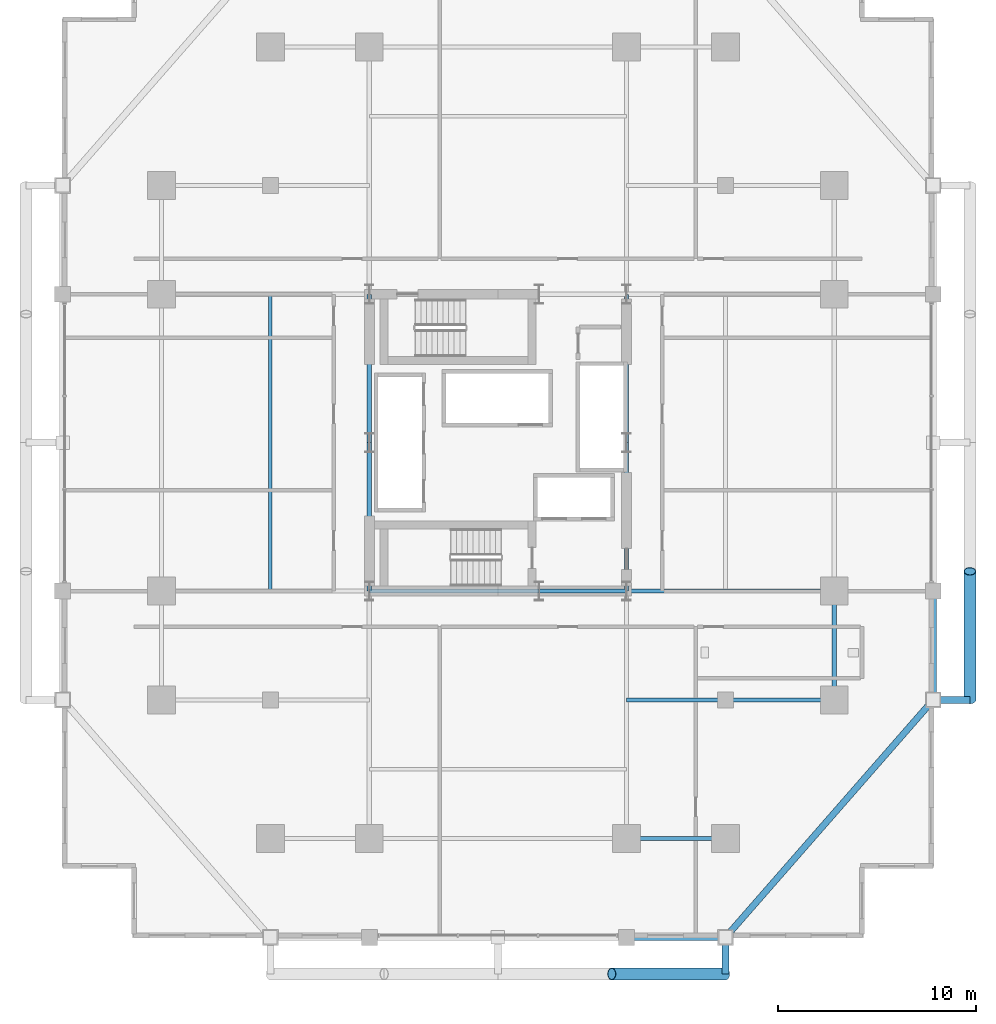
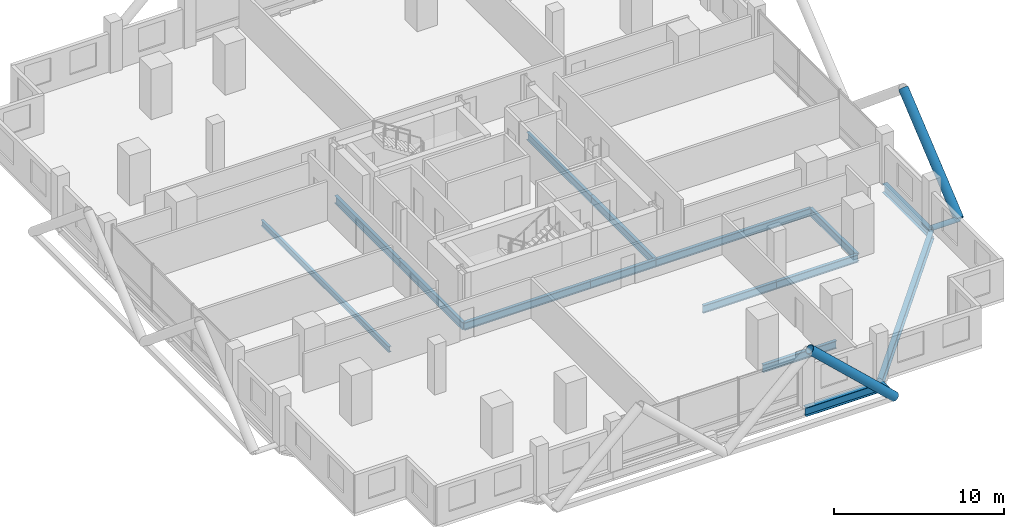
# One storey, part 9 of 26: 15 beams, 4 members.
"""IFC4 building model written with IfcOpenShell, lengths in metres."""

import ifcopenshell
import ifcopenshell.guid

model = None  # the IFC model being written
_history = None  # IfcOwnerHistory: only IFC2X3 demands one
_inside = {}  # id of a spatial element -> (the spatial element, [elements in it])
_under = {}  # id of a project, library or spatial element -> (it, [spatial elements below it])
_declared = {}  # id of a project -> (the project, [libraries it declares])
_typed = {}  # id of a type object -> (the type object, [elements of that type])
_made_of = {}  # id of a material, layer set ... -> (it, [elements and type objects made of it])


def new_model(schema):
    """Start an empty IFC model of exactly this schema.

    Asked for "IFC4X3", IfcOpenShell would pick the latest addendum, in which some entities
    have other attributes; the version numbers below select the first issue.
    IFC2X3 requires an IfcOwnerHistory on every rooted entity: one is made here for all.
    """
    global model, _history
    if schema == "IFC4X3":
        model = ifcopenshell.file(schema_version=(4, 3, 0, 0))
    else:
        model = ifcopenshell.file(schema=schema)
    _inside.clear()
    _under.clear()
    _declared.clear()
    _typed.clear()
    _made_of.clear()
    _history = None
    if model.schema == "IFC2X3":
        org = make("IfcOrganization", Name="unknown")
        user = make(
            "IfcPersonAndOrganization",
            ThePerson=make("IfcPerson", FamilyName="unknown"),
            TheOrganization=org,
        )
        app = make(
            "IfcApplication",
            ApplicationDeveloper=org,
            Version="unknown",
            ApplicationFullName="unknown",
            ApplicationIdentifier="unknown",
        )
        _history = make(
            "IfcOwnerHistory",
            OwningUser=user,
            OwningApplication=app,
            ChangeAction="ADDED",
            CreationDate=0,
        )
    return model


def make(cls, **values):
    """One entity of the class cls with the attributes given. An attribute that is None is left unset."""
    return model.create_entity(
        cls, **{name: value for name, value in values.items() if value is not None}
    )


def rooted(cls, **values):
    """An entity with a GlobalId (a new one), such as an element, a storey or a relation."""
    return make(cls, GlobalId=ifcopenshell.guid.new(), OwnerHistory=_history, **values)


def si_unit(unit_type, name, prefix=None):
    """IfcSIUnit, for example si_unit("LENGTHUNIT", "METRE", prefix="MILLI")."""
    return make("IfcSIUnit", UnitType=unit_type, Prefix=prefix, Name=name)


def assignment(units):
    """IfcUnitAssignment: the units of a project."""
    return None if units is None else make("IfcUnitAssignment", Units=units)


def point(xyz):
    """IfcCartesianPoint."""
    return None if xyz is None else make("IfcCartesianPoint", Coordinates=xyz)


def direction(xyz):
    """IfcDirection."""
    return None if xyz is None else make("IfcDirection", DirectionRatios=xyz)


def frame(location, z_axis=None, x_axis=None):
    """IfcAxis2Placement3D, a coordinate frame: its origin and axes. An axis left out is left unset."""
    return make(
        "IfcAxis2Placement3D",
        Location=point(location),
        Axis=direction(z_axis),
        RefDirection=direction(x_axis),
    )


def frame_2d(location, x_axis=None):
    """IfcAxis2Placement2D, a coordinate frame in the plane: its origin and x axis."""
    return make(
        "IfcAxis2Placement2D", Location=point(location), RefDirection=direction(x_axis)
    )


def origin():
    """The frame at (0, 0, 0) with its axes left unset."""
    return frame((0.0, 0.0, 0.0))


def origin_2d():
    """The frame at (0, 0) in the plane with its x axis left unset."""
    return frame_2d((0.0, 0.0))


def place(relative_to, where):
    """IfcLocalPlacement: puts the frame where relative to a parent placement (None: the world)."""
    return make(
        "IfcLocalPlacement", PlacementRelTo=relative_to, RelativePlacement=where
    )


def context(
    kind, dimensions, precision=None, world=None, true_north=None, identifier=None
):
    """IfcGeometricRepresentationContext, for example the 3D "Model" context."""
    return make(
        "IfcGeometricRepresentationContext",
        ContextIdentifier=identifier,
        ContextType=kind,
        CoordinateSpaceDimension=dimensions,
        Precision=precision,
        WorldCoordinateSystem=world,
        TrueNorth=true_north,
    )


def subcontext(parent, identifier, kind, view, scale=None):
    """IfcGeometricRepresentationSubContext, for example "Body" below "Model"."""
    return make(
        "IfcGeometricRepresentationSubContext",
        ContextIdentifier=identifier,
        ContextType=kind,
        ParentContext=parent,
        TargetScale=scale,
        TargetView=view,
    )


def project(units=None, contexts=None):
    """IfcProject with its units and contexts."""
    return rooted(
        "IfcProject",
        Name="project",
        RepresentationContexts=contexts,
        UnitsInContext=assignment(units),
    )


def spatial(cls, under=None, at=None, **own):
    """A site, building, storey or space (cls), placed at a placement, below another one or the project."""
    s = rooted(cls, ObjectPlacement=at, **own)
    if under is not None:
        _under.setdefault(under.id(), (under, []))[1].append(s)
    return s


def profile(cls, at=None, kind="AREA", **sizes):
    """A parametric profile (cls). Its sizes go by their IFC names, for example OverallWidth=200.0."""
    return make(cls, ProfileType=kind, Position=at, **sizes)


def hollow_circle(**sizes):
    """IfcCircleHollowProfileDef."""
    return profile("IfcCircleHollowProfileDef", **sizes)


def i_section(**sizes):
    """IfcIShapeProfileDef."""
    return profile("IfcIShapeProfileDef", **sizes)


def extrude(swept, where, along, depth):
    """IfcExtrudedAreaSolid: the profile swept, set in the frame where, extruded along a direction by depth."""
    return make(
        "IfcExtrudedAreaSolid",
        SweptArea=swept,
        Position=where,
        ExtrudedDirection=direction(along),
        Depth=depth,
    )


def shape(context_of_items, identifier, shape_type, items):
    """IfcShapeRepresentation: the items that make up one representation, for example the "Body"."""
    return make(
        "IfcShapeRepresentation",
        ContextOfItems=context_of_items,
        RepresentationIdentifier=identifier,
        RepresentationType=shape_type,
        Items=items,
    )


def material(Name=None, Category=None):
    """IfcMaterial."""
    return make("IfcMaterial", Name=Name, Category=Category)


def material_profile(
    of_material, cross_section, Name=None, Category=None, Priority=None
):
    """IfcMaterialProfile: a cross section and its material."""
    return make(
        "IfcMaterialProfile",
        Name=Name,
        Material=of_material,
        Profile=cross_section,
        Priority=Priority,
        Category=Category,
    )


def profile_set(profiles, Name=None, composite=None):
    """IfcMaterialProfileSet."""
    return make(
        "IfcMaterialProfileSet",
        Name=Name,
        MaterialProfiles=profiles,
        CompositeProfile=composite,
    )


def made_of(thing, what):
    """Note that an element or type object is made of a material, layer set ...; save() writes the relation."""
    if what is not None:
        _made_of.setdefault(what.id(), (what, []))[1].append(thing)
    return thing


def type_object(cls, material=None, **own):
    """A type object (cls), such as IfcWallType, which elements share."""
    return made_of(rooted(cls, **own), material)


def element(
    cls,
    number,
    at=None,
    inside=None,
    cuts=None,
    type_object=None,
    material=None,
    context=None,
    identifier="Body",
    shape_type=None,
    held_by="IfcProductDefinitionShape",
    body=None,
    shapes=None,
    **own,
):
    """One element of the class cls, such as IfcWall. Its Tag is "e" and its number.

    at: its placement. inside: the storey or other place that contains it. cuts: it is an
    opening in that element (IfcRelVoidsElement). A single representation is given by context,
    identifier, shape_type and body (its items); several are given by shapes. held_by: the class
    of the entity that holds the representations. save() writes the other relations.
    """
    e = rooted(cls, Tag="e%d" % number, ObjectPlacement=at, **own)
    if body is not None:
        shapes = [shape(context, identifier, shape_type, body)]
    if shapes is not None:
        e.Representation = make(held_by, Representations=shapes)
    if inside is not None:
        _inside.setdefault(inside.id(), (inside, []))[1].append(e)
    if cuts is not None:
        rooted(
            "IfcRelVoidsElement", RelatingBuildingElement=cuts, RelatedOpeningElement=e
        )
    if type_object is not None:
        _typed.setdefault(type_object.id(), (type_object, []))[1].append(e)
    return made_of(e, material)


def aggregate(whole, parts):
    """IfcRelAggregates: a whole, such as a stair, and the parts it consists of."""
    return rooted("IfcRelAggregates", RelatingObject=whole, RelatedObjects=parts)


def save(model, path):
    """Write the relations noted so far, then the file.

    IfcRelAggregates (storeys below a building ...), IfcRelContainedInSpatialStructure (elements
    in a storey), IfcRelDefinesByType, IfcRelAssociatesMaterial and IfcRelDeclares: one each for
    every whole, place, type object, material and project.
    """
    for whole, parts in _under.values():
        aggregate(whole, parts)
    for where, things in _inside.values():
        rooted(
            "IfcRelContainedInSpatialStructure",
            RelatedElements=things,
            RelatingStructure=where,
        )
    for kind, things in _typed.values():
        rooted("IfcRelDefinesByType", RelatedObjects=things, RelatingType=kind)
    for what, things in _made_of.values():
        rooted("IfcRelAssociatesMaterial", RelatedObjects=things, RelatingMaterial=what)
    for by, libraries in _declared.values():
        rooted("IfcRelDeclares", RelatingContext=by, RelatedDefinitions=libraries)
    model.write(path)


model = new_model("IFC4")

# Units and contexts
model_context = context("Model", 3, precision=1e-05, world=origin(), true_north=direction((0.0, 1.0)))
body_context = subcontext(model_context, "Body", "Model", "MODEL_VIEW")
ifc_project = project(units=[si_unit("LENGTHUNIT", "METRE"), si_unit("AREAUNIT", "SQUARE_METRE"), si_unit("VOLUMEUNIT", "CUBIC_METRE"), si_unit("PLANEANGLEUNIT", "RADIAN"), si_unit("MASSUNIT", "GRAM", prefix="KILO")], contexts=[model_context])

# Site, building, storey
site_placement = place(None, origin())
site = spatial("IfcSite", under=ifc_project, at=site_placement, CompositionType="ELEMENT")
building_placement = place(site_placement, origin())
building = spatial("IfcBuilding", under=site, at=building_placement, Name="Barlavira Tower and Art Museum", CompositionType="ELEMENT")
storey_placement = place(building_placement, frame((0.0, 0.0, 82.800048828125)))
storey = spatial("IfcBuildingStorey", under=building, at=storey_placement, Name="L20", CompositionType="ELEMENT", Elevation=82.800048828125)

# Members
ifc_material = material(Name="Steel S355", Category="steel")
ifc_material_profile_1 = material_profile(ifc_material, hollow_circle(Radius=0.304931640625, WallThickness=0.028076171875, at=origin_2d()), Name="CHS 610.0x28.0")
ifc_profile_set_1 = profile_set([ifc_material_profile_1], Name="Steel S355")
member_type_1 = type_object("IfcMemberType", Name="Pale-Metal Exoskeleton Diagrid Tube CHS 610x28 Steel S355", PredefinedType="BRACE", material=ifc_profile_set_1)
member_1_placement = place(storey_placement, frame((11.5, -26.85009765625, -0.1201171875), z_axis=(-0.728934650808, 0.0, 0.684583285548), x_axis=(0.0, -1.0, 0.0)))
element("IfcMember", 1, at=member_1_placement, inside=storey, type_object=member_type_1, Name="L20 Exoskeleton Diagrid Tube S", PredefinedType="BRACE", context=body_context, shape_type="SweptSolid", body=[
    extrude(hollow_circle(Radius=0.304931640625, WallThickness=0.028076171875, at=origin_2d()), origin(), (0.0, 0.0, 1.0), 7.88818359375),
])
member_2_placement = place(storey_placement, frame((23.85009765625, -13.0, -0.1201171875), z_axis=(0.0, 0.76918185268, 0.639029950399), x_axis=(-1.0, 0.0, 0.0)))
element("IfcMember", 2, at=member_2_placement, inside=storey, type_object=member_type_1, Name="L20 Exoskeleton Diagrid Tube E", PredefinedType="BRACE", context=body_context, shape_type="SweptSolid", body=[
    extrude(hollow_circle(Radius=0.304931640625, WallThickness=0.028076171875, at=origin_2d()), origin(), (0.0, 0.0, 1.0), 8.450439453125),
])
ifc_material_profile_2 = material_profile(ifc_material, hollow_circle(Radius=0.177734375, WallThickness=0.01611328125, at=origin_2d()), Name="CHS 355.6x16.0")
ifc_profile_set_2 = profile_set([ifc_material_profile_2], Name="Steel S355")
member_type_2 = type_object("IfcMemberType", Name="Pale-Metal Exoskeleton Tie Strut CHS 356x16 Steel S355", PredefinedType="STRUT", material=ifc_profile_set_2)
for number, where, z_axis, x_axis, name in (
    (3, (11.5, -26.85009765625, -0.1201171875), (0.0, 1.0, 0.0), (-1.0, 0.0, 0.0), "L20 Exoskeleton Tie Strut S3"),
    (4, (23.85009765625, -13.0, -0.1201171875), (-1.0, 0.0, 0.0), (0.0, -1.0, 0.0), "L20 Exoskeleton Tie Strut E1"),
):
    element("IfcMember", number, at=place(storey_placement, frame(where, z_axis=z_axis, x_axis=x_axis)), inside=storey, type_object=member_type_2, Name=name, PredefinedType="STRUT", context=body_context, shape_type="SweptSolid", body=[
        extrude(hollow_circle(Radius=0.177734375, WallThickness=0.01611328125, at=origin_2d()), origin(), (0.0, 0.0, 1.0), 1.85009765625),
    ])

# Beams
ifc_material_profile_3 = material_profile(ifc_material, i_section(OverallWidth=0.327880859375, OverallDepth=0.62890625, WebThickness=0.013916015625, FlangeThickness=0.021484375, at=origin_2d()), Name="W610x174.0")
ifc_profile_set_3 = profile_set([ifc_material_profile_3], Name="Steel S355")
beam_type_1 = type_object("IfcBeamType", Name="Perimeter Spandrel Edge Beam W610x174 Steel S355", PredefinedType="SPANDREL", material=ifc_profile_set_3)
beam_1_placement = place(storey_placement, frame((6.5, -25.0, -0.53466796875), z_axis=(1.0, 0.0, 0.0), x_axis=(0.0, 1.0, 0.0)))
element("IfcBeam", 5, at=beam_1_placement, inside=storey, type_object=beam_type_1, Name="L20 Spandrel 3", PredefinedType="SPANDREL", context=body_context, shape_type="SweptSolid", body=[
    extrude(i_section(OverallWidth=0.327880859375, OverallDepth=0.62890625, WebThickness=0.013916015625, FlangeThickness=0.021484375, at=origin_2d()), origin(), (0.0, 0.0, 1.0), 5.0),
])
beam_2_placement = place(storey_placement, frame((11.5, -25.0, -0.53466796875), z_axis=(0.658504607869, 0.752576694707, 0.0), x_axis=(-0.752576694707, 0.658504607869, 0.0)))
element("IfcBeam", 6, at=beam_2_placement, inside=storey, type_object=beam_type_1, Name="L20 Spandrel 4", PredefinedType="SPANDREL", context=body_context, shape_type="SweptSolid", body=[
    extrude(i_section(OverallWidth=0.327880859375, OverallDepth=0.62890625, WebThickness=0.013916015625, FlangeThickness=0.021484375, at=origin_2d()), origin(), (0.0, 0.0, 1.0), 15.9453125),
])
beam_3_placement = place(storey_placement, frame((22.0, -13.0, -0.53466796875), z_axis=(0.0, 1.0, 0.0), x_axis=(-1.0, 0.0, 0.0)))
element("IfcBeam", 7, at=beam_3_placement, inside=storey, type_object=beam_type_1, Name="L20 Spandrel 5", PredefinedType="SPANDREL", context=body_context, shape_type="SweptSolid", body=[
    extrude(i_section(OverallWidth=0.327880859375, OverallDepth=0.62890625, WebThickness=0.013916015625, FlangeThickness=0.021484375, at=origin_2d()), origin(), (0.0, 0.0, 1.0), 5.5),
])
ifc_material_profile_4 = material_profile(ifc_material, i_section(OverallWidth=0.180908203125, OverallDepth=0.4169921875, WebThickness=0.010986328125, FlangeThickness=0.018310546875, at=origin_2d()), Name="W410x85.0")
ifc_profile_set_4 = profile_set([ifc_material_profile_4], Name="Steel S355")
beam_type_2 = type_object("IfcBeamType", Name="Zone 1 Composite Floor Joist W410x85 Steel S355", PredefinedType="JOIST", material=ifc_profile_set_4)
beam_4_placement = place(storey_placement, frame((-11.5, -7.5, -0.428466796875), z_axis=(0.0, 1.0, 0.0), x_axis=(-1.0, 0.0, 0.0)))
element("IfcBeam", 8, at=beam_4_placement, inside=storey, type_object=beam_type_2, Name="L20 Joist W1", PredefinedType="JOIST", context=body_context, shape_type="SweptSolid", body=[
    extrude(i_section(OverallWidth=0.180908203125, OverallDepth=0.4169921875, WebThickness=0.010986328125, FlangeThickness=0.018310546875, at=origin_2d()), origin(), (0.0, 0.0, 1.0), 15.0),
])
ifc_material_profile_5 = material_profile(ifc_material, i_section(OverallWidth=0.214111328125, OverallDepth=0.549072265625, WebThickness=0.0146484375, FlangeThickness=0.023681640625, at=origin_2d()), Name="W530x138.0")
ifc_profile_set_5 = profile_set([ifc_material_profile_5], Name="Steel S355")
beam_type_3 = type_object("IfcBeamType", Name="Zone 1 Primary Floor Girder W530x138 Steel S355", PredefinedType="BEAM", material=ifc_profile_set_5)
beam_5_placement = place(storey_placement, frame((-6.5, -7.5, -0.49462890625), z_axis=(1.0, 0.0, 0.0), x_axis=(0.0, 1.0, 0.0)))
element("IfcBeam", 9, at=beam_5_placement, inside=storey, type_object=beam_type_3, Name="L20 Girder C-S1", PredefinedType="BEAM", context=body_context, shape_type="SweptSolid", body=[
    extrude(i_section(OverallWidth=0.214111328125, OverallDepth=0.549072265625, WebThickness=0.0146484375, FlangeThickness=0.023681640625, at=origin_2d()), origin(), (0.0, 0.0, 1.0), 8.580078125),
])
beam_6_placement = place(storey_placement, frame((2.080078125, -7.5, -0.49462890625), z_axis=(1.0, 0.0, 0.0), x_axis=(0.0, 1.0, 0.0)))
element("IfcBeam", 10, at=beam_6_placement, inside=storey, type_object=beam_type_3, Name="L20 Girder C-S2", PredefinedType="BEAM", context=body_context, shape_type="SweptSolid", body=[
    extrude(i_section(OverallWidth=0.214111328125, OverallDepth=0.549072265625, WebThickness=0.0146484375, FlangeThickness=0.023681640625, at=origin_2d()), origin(), (0.0, 0.0, 1.0), 4.419921875),
])
for number, where, z_axis, x_axis, name in (
    (11, (-6.5, -7.5, -0.49462890625), (0.0, 1.0, 0.0), (-1.0, 0.0, 0.0), "L20 Girder C-W1"),
    (12, (-6.5, 0.0, -0.49462890625), (0.0, 1.0, 0.0), (-1.0, 0.0, 0.0), "L20 Girder C-W2"),
    (13, (6.5, -7.5, -0.49462890625), (0.0, 1.0, 0.0), (-1.0, 0.0, 0.0), "L20 Girder C-E1"),
    (14, (6.5, 0.0, -0.49462890625), (0.0, 1.0, 0.0), (-1.0, 0.0, 0.0), "L20 Girder C-E2"),
):
    element("IfcBeam", number, at=place(storey_placement, frame(where, z_axis=z_axis, x_axis=x_axis)), inside=storey, type_object=beam_type_3, Name=name, PredefinedType="BEAM", context=body_context, shape_type="SweptSolid", body=[
        extrude(i_section(OverallWidth=0.214111328125, OverallDepth=0.549072265625, WebThickness=0.0146484375, FlangeThickness=0.023681640625, at=origin_2d()), origin(), (0.0, 0.0, 1.0), 7.5),
    ])
beam_7_placement = place(storey_placement, frame((6.5, -20.0, -0.49462890625), z_axis=(1.0, 0.0, 0.0), x_axis=(0.0, 1.0, 0.0)))
element("IfcBeam", 15, at=beam_7_placement, inside=storey, type_object=beam_type_3, Name="L20 Girder M-S3", PredefinedType="BEAM", context=body_context, shape_type="SweptSolid", body=[
    extrude(i_section(OverallWidth=0.214111328125, OverallDepth=0.549072265625, WebThickness=0.0146484375, FlangeThickness=0.023681640625, at=origin_2d()), origin(), (0.0, 0.0, 1.0), 5.0),
])
beam_8_placement = place(storey_placement, frame((17.0, -13.0, -0.49462890625), z_axis=(0.0, 1.0, 0.0), x_axis=(-1.0, 0.0, 0.0)))
element("IfcBeam", 16, at=beam_8_placement, inside=storey, type_object=beam_type_3, Name="L20 Girder M-E1", PredefinedType="BEAM", context=body_context, shape_type="SweptSolid", body=[
    extrude(i_section(OverallWidth=0.214111328125, OverallDepth=0.549072265625, WebThickness=0.0146484375, FlangeThickness=0.023681640625, at=origin_2d()), origin(), (0.0, 0.0, 1.0), 5.5),
])
beam_9_placement = place(storey_placement, frame((6.5, -7.5, -0.49462890625), z_axis=(1.0, 0.0, 0.0), x_axis=(0.0, 1.0, 0.0)))
element("IfcBeam", 17, at=beam_9_placement, inside=storey, type_object=beam_type_3, Name="L20 Girder R-E1", PredefinedType="BEAM", context=body_context, shape_type="SweptSolid", body=[
    extrude(i_section(OverallWidth=0.214111328125, OverallDepth=0.549072265625, WebThickness=0.0146484375, FlangeThickness=0.023681640625, at=origin_2d()), origin(), (0.0, 0.0, 1.0), 10.5),
])
beam_10_placement = place(storey_placement, frame((6.5, -13.0, -0.49462890625), z_axis=(1.0, 0.0, 0.0), x_axis=(0.0, 1.0, 0.0)))
element("IfcBeam", 18, at=beam_10_placement, inside=storey, type_object=beam_type_3, Name="L20 Girder I-S3", PredefinedType="BEAM", context=body_context, shape_type="SweptSolid", body=[
    extrude(i_section(OverallWidth=0.214111328125, OverallDepth=0.549072265625, WebThickness=0.0146484375, FlangeThickness=0.023681640625, at=origin_2d()), origin(), (0.0, 0.0, 1.0), 5.0),
])
beam_11_placement = place(storey_placement, frame((11.5, -13.0, -0.49462890625), z_axis=(1.0, 0.0, 0.0), x_axis=(0.0, 1.0, 0.0)))
element("IfcBeam", 19, at=beam_11_placement, inside=storey, type_object=beam_type_3, Name="L20 Girder I-S4", PredefinedType="BEAM", context=body_context, shape_type="SweptSolid", body=[
    extrude(i_section(OverallWidth=0.214111328125, OverallDepth=0.549072265625, WebThickness=0.0146484375, FlangeThickness=0.023681640625, at=origin_2d()), origin(), (0.0, 0.0, 1.0), 5.5),
])

save(model, "model.ifc")
